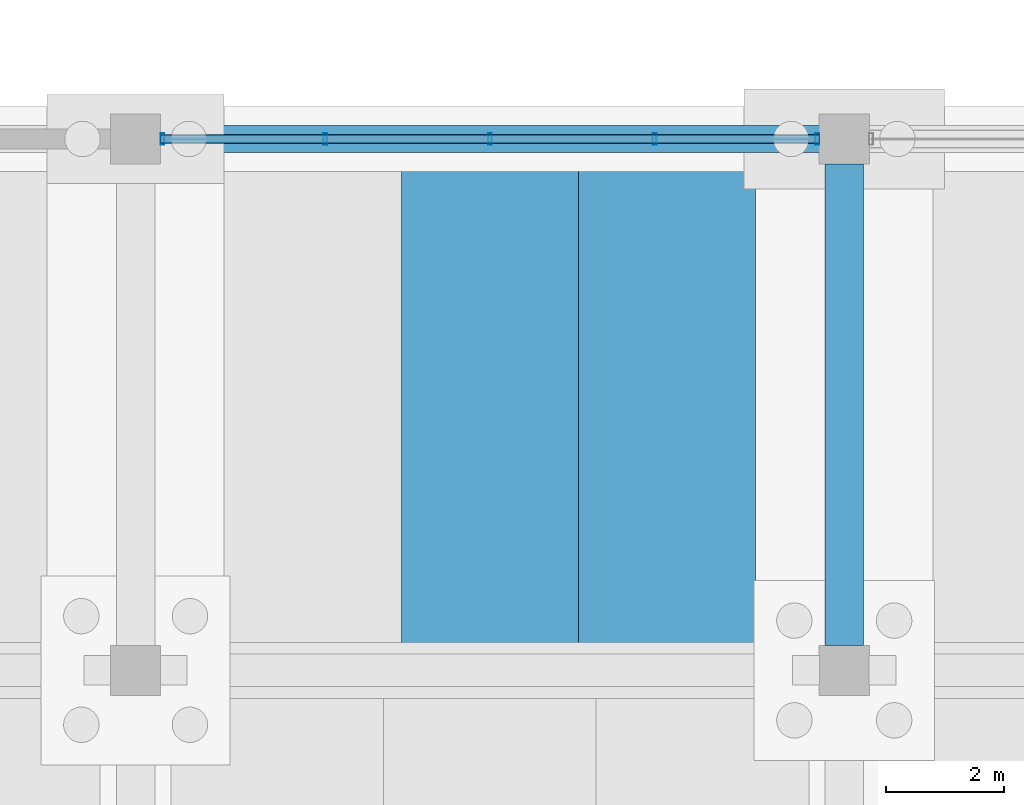
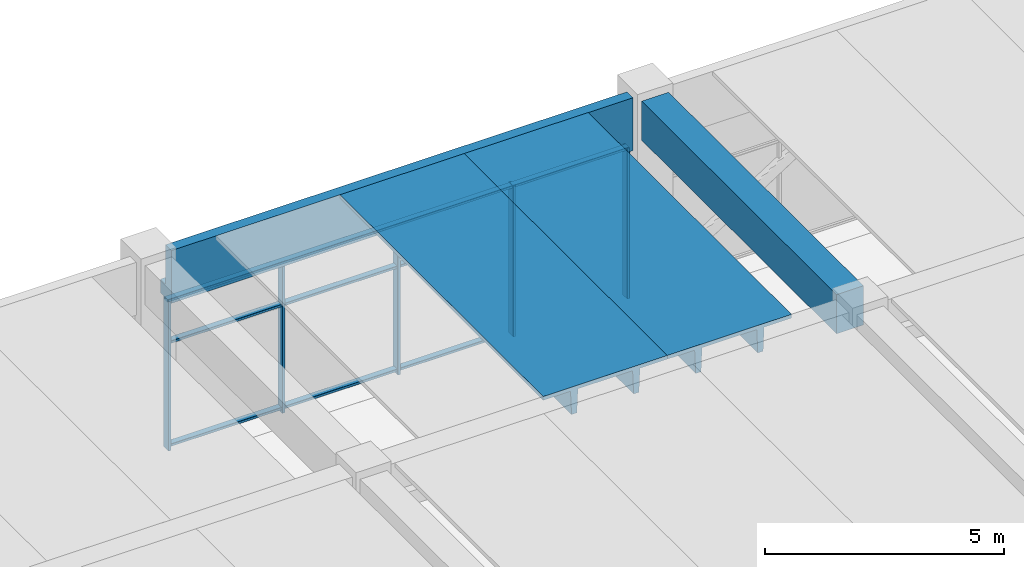
# One storey, part 19 of 59: 8 members, 4 beams, 1 element without a shape of its own.
"""IFC4 building model written with IfcOpenShell, lengths in metres."""

from ifc_helpers import new_model, si_unit, direction, frame, origin, origin_2d, place, context, subcontext, project, spatial, polyline, rectangle, hollow_rectangle, outline, extrude, material, material_profile, profile_set, type_object, element, aggregate, save


model = new_model("IFC4")

# Units and contexts
model_context = context("Model", 3, precision=1e-05, world=origin(), true_north=direction((0.0, 1.0)))
body_context = subcontext(model_context, "Body", "Model", "MODEL_VIEW")
ifc_project = project(units=[si_unit("LENGTHUNIT", "METRE"), si_unit("AREAUNIT", "SQUARE_METRE"), si_unit("VOLUMEUNIT", "CUBIC_METRE"), si_unit("PLANEANGLEUNIT", "RADIAN"), si_unit("MASSUNIT", "GRAM", prefix="KILO")], contexts=[model_context])

# Site, building, storey
site_placement = place(None, origin())
site = spatial("IfcSite", under=ifc_project, at=site_placement, CompositionType="ELEMENT")
building_placement = place(site_placement, origin())
building = spatial("IfcBuilding", under=site, at=building_placement, Name="Girod Span Mobility Hub", CompositionType="ELEMENT")
storey_placement = place(building_placement, origin())
storey = spatial("IfcBuildingStorey", under=building, at=storey_placement, Name="L00", CompositionType="ELEMENT", Elevation=0.0)

# Beams
ifc_material_1 = material(Name="Concrete C50/60", Category="concrete")
ifc_material_profile_1 = material_profile(ifc_material_1, outline(polyline([(-1.5, 0.35009765625), (-1.5, 0.2548828125), (-0.840087890625, 0.2548828125), (-0.81494140625, -0.35009765625), (-0.68505859375, -0.35009765625), (-0.659912109375, 0.2548828125), (0.659912109375, 0.2548828125), (0.68505859375, -0.35009765625), (0.81494140625, -0.35009765625), (0.840087890625, 0.2548828125), (1.5, 0.2548828125), (1.5, 0.35009765625), (-1.5, 0.35009765625)])), Name="DT-3000X700")
ifc_profile_set_1 = profile_set([ifc_material_profile_1], Name="Concrete C50/60")
beam_type_1 = type_object("IfcBeamType", Name="BM-DT-3000X700", PredefinedType="JOIST", material=ifc_profile_set_1)
for number, where, z_axis, x_axis, name in (
    (1, (102.0, 105.27197265625, 4.85009765625), (0.0, 1.0, 0.0), (-1.0, 0.0, 0.0), "Double-Tee Deck 9/H-2 L00"),
    (2, (105.0, 105.27197265625, 4.85009765625), (0.0, 1.0, 0.0), (-1.0, 0.0, 0.0), "Double-Tee Deck 9/H-3 L00"),
):
    element("IfcBeam", number, at=place(storey_placement, frame(where, z_axis=z_axis, x_axis=x_axis)), inside=storey, type_object=beam_type_1, Name=name, PredefinedType="JOIST", context=body_context, shape_type="SweptSolid", body=[
        extrude(outline(polyline([(-1.5, 0.35009765625), (-1.5, 0.2548828125), (-0.840087890625, 0.2548828125), (-0.81494140625, -0.35009765625), (-0.68505859375, -0.35009765625), (-0.659912109375, 0.2548828125), (0.659912109375, 0.2548828125), (0.68505859375, -0.35009765625), (0.81494140625, -0.35009765625), (0.840087890625, 0.2548828125), (1.5, 0.2548828125), (1.5, 0.35009765625), (-1.5, 0.35009765625)])), origin(), (0.0, 0.0, 1.0), 8.506103515625),
    ])
ifc_material_2 = material(Name="Concrete C40/50", Category="concrete")
ifc_material_profile_2 = material_profile(ifc_material_2, outline(polyline([(-0.22509765625, -0.675048828125), (0.22509765625, -0.675048828125), (0.22509765625, -0.324951171875), (0.02490234375, -0.324951171875), (0.02490234375, 0.675048828125), (-0.22509765625, 0.675048828125), (-0.22509765625, -0.675048828125)])), Name="SP-450X1350")
ifc_profile_set_2 = profile_set([ifc_material_profile_2], Name="Concrete C40/50")
beam_type_2 = type_object("IfcBeamType", Name="BM-SP-450X1350", PredefinedType="SPANDREL", material=ifc_profile_set_2)
beam_1_placement = place(storey_placement, frame((96.422119140625, 114.0, 4.52490234375), z_axis=(1.0, 0.0, 0.0), x_axis=(0.0, 1.0, 0.0)))
element("IfcBeam", 3, at=beam_1_placement, inside=storey, type_object=beam_type_2, Name="Girder 9-10/J L00", PredefinedType="SPANDREL", context=body_context, shape_type="SweptSolid", body=[
    extrude(outline(polyline([(-0.22509765625, -0.675048828125), (0.22509765625, -0.675048828125), (0.22509765625, -0.324951171875), (0.02490234375, -0.324951171875), (0.02490234375, 0.675048828125), (-0.22509765625, 0.675048828125), (-0.22509765625, -0.675048828125)])), origin(), (0.0, 0.0, 1.0), 11.15576171875),
])
ifc_material_3 = material(Name="Concrete C40/50", Category="concrete")
ifc_material_profile_3 = material_profile(ifc_material_3, rectangle(XDim=0.64990234375, YDim=1.0, at=origin_2d()), Name="TG-650X1000")
ifc_profile_set_3 = profile_set([ifc_material_profile_3], Name="Concrete C40/50")
beam_type_3 = type_object("IfcBeamType", Name="BM-TG-650X1000", PredefinedType="T_BEAM", material=ifc_profile_set_3)
beam_2_placement = place(storey_placement, frame((108.0, 105.422119140625, 4.699951171875), z_axis=(0.0, 1.0, 0.0), x_axis=(-1.0, 0.0, 0.0)))
element("IfcBeam", 4, at=beam_2_placement, inside=storey, type_object=beam_type_3, Name="Tie Girder 10/H-J L00", PredefinedType="T_BEAM", context=body_context, shape_type="SweptSolid", body=[
    extrude(rectangle(XDim=0.64990234375, YDim=1.0, at=origin_2d()), origin(), (0.0, 0.0, 1.0), 8.15576171875),
])

# Curtain wall, members
ifc_material_4 = material(Name="Thermally Broken Anodised Aluminium", Category="aluminium")
curtain_wall_type = type_object("IfcCurtainWallType", Name="CW-1115X385", PredefinedType="USERDEFINED", material=ifc_material_4)
curtain_wall_placement = place(storey_placement, origin())
curtain_wall = element("IfcCurtainWall", 5, at=curtain_wall_placement, inside=storey, type_object=curtain_wall_type, Name="Concourse Storefront CW-L00-N09 L00", ObjectType="CONCOURSE STOREFRONT", PredefinedType="USERDEFINED")
ifc_material_5 = material(Name="Thermally Broken Anodised Aluminium", Category="aluminium")
ifc_material_profile_4 = material_profile(ifc_material_5, hollow_rectangle(XDim=0.199951171875, YDim=0.06494140625, WallThickness=0.00390625, InnerFilletRadius=0.00390625, OuterFilletRadius=0.008056640625, at=origin_2d()), Name="CW-ML-65X200")
ifc_profile_set_4 = profile_set([ifc_material_profile_4], Name="Thermally Broken Anodised Aluminium")
member_type_1 = type_object("IfcMemberType", Name="CWM-ML-1", PredefinedType="MULLION", material=ifc_profile_set_4)
member_1_placement = place(storey_placement, frame((96.455078125, 114.0, 0.0), z_axis=(0.0, 0.0, 1.0), x_axis=(0.0, 1.0, 0.0)))
member_1 = element("IfcMember", 6, at=member_1_placement, type_object=member_type_1, Name="Curtain Wall Mullion CW-L00-N09-M0", PredefinedType="MULLION", context=body_context, shape_type="SweptSolid", body=[
    extrude(hollow_rectangle(XDim=0.199951171875, YDim=0.06494140625, WallThickness=0.00390625, InnerFilletRadius=0.00390625, OuterFilletRadius=0.008056640625, at=origin_2d()), origin(), (0.0, 0.0, 1.0), 3.85009765625),
])
member_2_placement = place(storey_placement, frame((99.21142578125, 114.0, 0.0), z_axis=(0.0, 0.0, 1.0), x_axis=(0.0, 1.0, 0.0)))
member_2 = element("IfcMember", 7, at=member_2_placement, type_object=member_type_1, Name="Curtain Wall Mullion CW-L00-N09-M1", PredefinedType="MULLION", context=body_context, shape_type="SweptSolid", body=[
    extrude(hollow_rectangle(XDim=0.199951171875, YDim=0.06494140625, WallThickness=0.00390625, InnerFilletRadius=0.00390625, OuterFilletRadius=0.008056640625, at=origin_2d()), origin(), (0.0, 0.0, 1.0), 3.85009765625),
])
member_3_placement = place(storey_placement, frame((102.0, 114.0, 0.0), z_axis=(0.0, 0.0, 1.0), x_axis=(0.0, 1.0, 0.0)))
member_3 = element("IfcMember", 8, at=member_3_placement, type_object=member_type_1, Name="Curtain Wall Mullion CW-L00-N09-M2", PredefinedType="MULLION", context=body_context, shape_type="SweptSolid", body=[
    extrude(hollow_rectangle(XDim=0.199951171875, YDim=0.06494140625, WallThickness=0.00390625, InnerFilletRadius=0.00390625, OuterFilletRadius=0.008056640625, at=origin_2d()), origin(), (0.0, 0.0, 1.0), 3.85009765625),
])
member_4_placement = place(storey_placement, frame((104.78857421875, 114.0, 0.0), z_axis=(0.0, 0.0, 1.0), x_axis=(0.0, 1.0, 0.0)))
member_4 = element("IfcMember", 9, at=member_4_placement, type_object=member_type_1, Name="Curtain Wall Mullion CW-L00-N09-M3", PredefinedType="MULLION", context=body_context, shape_type="SweptSolid", body=[
    extrude(hollow_rectangle(XDim=0.199951171875, YDim=0.06494140625, WallThickness=0.00390625, InnerFilletRadius=0.00390625, OuterFilletRadius=0.008056640625, at=origin_2d()), origin(), (0.0, 0.0, 1.0), 3.85009765625),
])
member_5_placement = place(storey_placement, frame((107.544921875, 114.0, 0.0), z_axis=(0.0, 0.0, 1.0), x_axis=(0.0, 1.0, 0.0)))
member_5 = element("IfcMember", 10, at=member_5_placement, type_object=member_type_1, Name="Curtain Wall Mullion CW-L00-N09-M4", PredefinedType="MULLION", context=body_context, shape_type="SweptSolid", body=[
    extrude(hollow_rectangle(XDim=0.199951171875, YDim=0.06494140625, WallThickness=0.00390625, InnerFilletRadius=0.00390625, OuterFilletRadius=0.008056640625, at=origin_2d()), origin(), (0.0, 0.0, 1.0), 3.85009765625),
])
ifc_material_6 = material(Name="Thermally Broken Anodised Aluminium", Category="aluminium")
ifc_material_profile_5 = material_profile(ifc_material_6, hollow_rectangle(XDim=0.14990234375, YDim=0.06494140625, WallThickness=0.00390625, InnerFilletRadius=0.00390625, OuterFilletRadius=0.008056640625, at=origin_2d()), Name="CW-TR-65X150")
ifc_profile_set_5 = profile_set([ifc_material_profile_5], Name="Thermally Broken Anodised Aluminium")
member_type_2 = type_object("IfcMemberType", Name="CWM-TR-1", PredefinedType="USERDEFINED", material=ifc_profile_set_5)
member_6_placement = place(storey_placement, frame((96.423095703125, 114.0, 0.107421875), z_axis=(1.0, 0.0, 0.0), x_axis=(0.0, 1.0, 0.0)))
member_6 = element("IfcMember", 11, at=member_6_placement, type_object=member_type_2, Name="Curtain Wall Transom CW-L00-N09-T1", ObjectType="TRANSOM", PredefinedType="USERDEFINED", context=body_context, shape_type="SweptSolid", body=[
    extrude(hollow_rectangle(XDim=0.14990234375, YDim=0.06494140625, WallThickness=0.00390625, InnerFilletRadius=0.00390625, OuterFilletRadius=0.008056640625, at=origin_2d()), origin(), (0.0, 0.0, 1.0), 11.15380859375),
])
member_7_placement = place(storey_placement, frame((96.423095703125, 114.0, 2.739501953125), z_axis=(1.0, 0.0, 0.0), x_axis=(0.0, 1.0, 0.0)))
member_7 = element("IfcMember", 12, at=member_7_placement, type_object=member_type_2, Name="Curtain Wall Transom CW-L00-N09-T2", ObjectType="TRANSOM", PredefinedType="USERDEFINED", context=body_context, shape_type="SweptSolid", body=[
    extrude(hollow_rectangle(XDim=0.14990234375, YDim=0.06494140625, WallThickness=0.00390625, InnerFilletRadius=0.00390625, OuterFilletRadius=0.008056640625, at=origin_2d()), origin(), (0.0, 0.0, 1.0), 11.15380859375),
])
member_8_placement = place(storey_placement, frame((96.423095703125, 114.0, 3.8173828125), z_axis=(1.0, 0.0, 0.0), x_axis=(0.0, 1.0, 0.0)))
member_8 = element("IfcMember", 13, at=member_8_placement, type_object=member_type_2, Name="Curtain Wall Transom CW-L00-N09-T3", ObjectType="TRANSOM", PredefinedType="USERDEFINED", context=body_context, shape_type="SweptSolid", body=[
    extrude(hollow_rectangle(XDim=0.14990234375, YDim=0.06494140625, WallThickness=0.00390625, InnerFilletRadius=0.00390625, OuterFilletRadius=0.008056640625, at=origin_2d()), origin(), (0.0, 0.0, 1.0), 11.15380859375),
])
aggregate(curtain_wall, [member_1, member_2, member_3, member_4, member_5, member_6, member_7, member_8])

save(model, "model.ifc")
